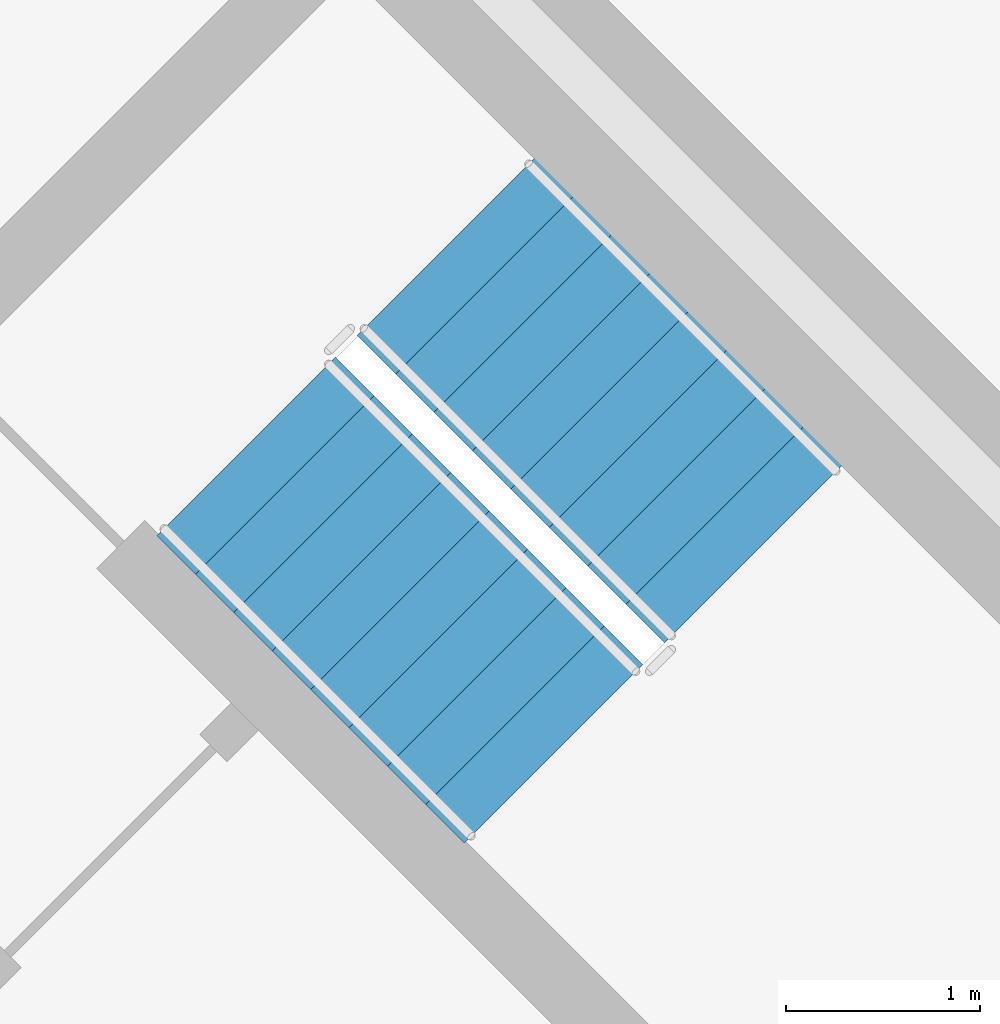
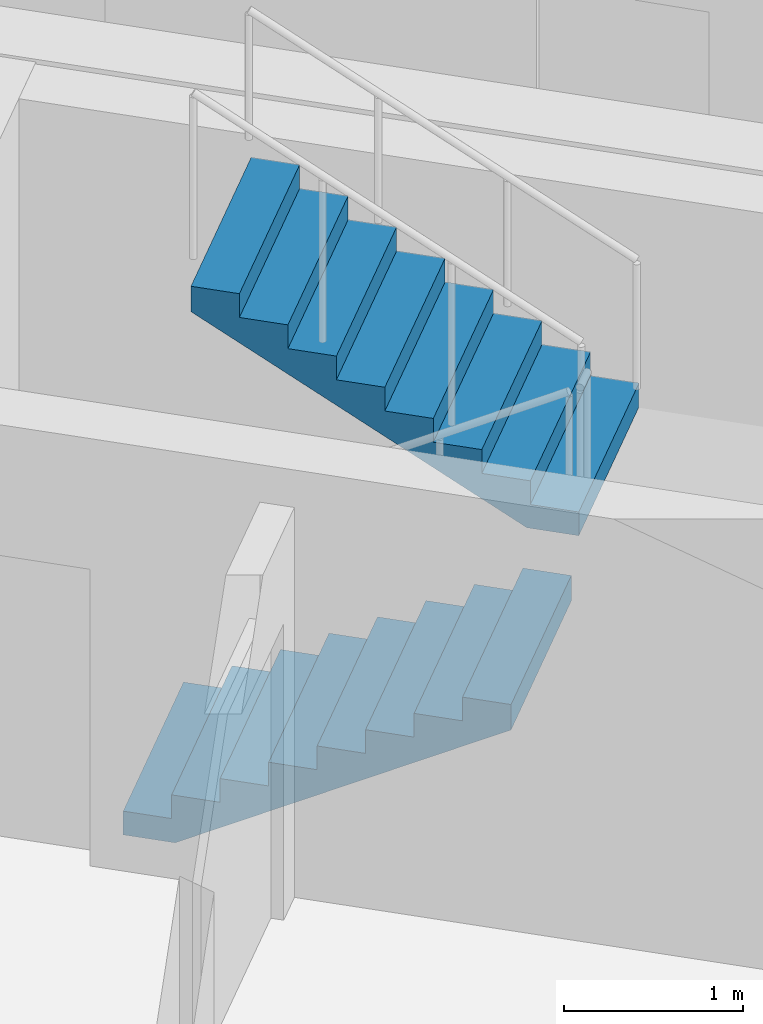
# One storey, part 16 of 19: 2 stair flights, 1 element without a shape of its own.
"""IFC4 building model written with IfcOpenShell, lengths in metres."""

from ifc_helpers import new_model, si_unit, direction, frame, origin, place, context, subcontext, project, spatial, polyline, outline, extrude, material, type_object, element, aggregate, save


model = new_model("IFC4")

# Units and contexts
model_context = context("Model", 3, precision=1e-05, world=origin(), true_north=direction((0.0, 1.0)))
body_context = subcontext(model_context, "Body", "Model", "MODEL_VIEW")
ifc_project = project(units=[si_unit("LENGTHUNIT", "METRE"), si_unit("AREAUNIT", "SQUARE_METRE"), si_unit("VOLUMEUNIT", "CUBIC_METRE"), si_unit("PLANEANGLEUNIT", "RADIAN"), si_unit("MASSUNIT", "GRAM", prefix="KILO")], contexts=[model_context])

# Site, building, storey
site_placement = place(None, origin())
site = spatial("IfcSite", under=ifc_project, at=site_placement, CompositionType="ELEMENT")
building_placement = place(site_placement, origin())
building = spatial("IfcBuilding", under=site, at=building_placement, Name="Cununo Teusaquillo Station Towers", CompositionType="ELEMENT")
storey_placement = place(building_placement, frame((0.0, 0.0, 84.699951171875)))
storey = spatial("IfcBuildingStorey", under=building, at=storey_placement, Name="L26", CompositionType="ELEMENT", Elevation=84.699951171875)

# Stair, stair flights
ifc_material_1 = material(Name="Concrete C50/60", Category="concrete")
stair_type = type_object("IfcStairType", Name="ST-TWR-1300", PredefinedType="HALF_TURN_STAIR", material=ifc_material_1)
stair_placement = place(storey_placement, origin())
stair = element("IfcStair", 1, at=stair_placement, inside=storey, type_object=stair_type, Name="L26 Tower B Protected Core Exit Stair 2", PredefinedType="HALF_TURN_STAIR")
ifc_material_2 = material(Name="Concrete C50/60", Category="concrete")
stair_flight_type = type_object("IfcStairFlightType", Name="SFL-TWR-1300", PredefinedType="STRAIGHT", material=ifc_material_2)
stair_flight_1_placement = place(storey_placement, frame((60.54052734375, 25.1787109375, 0.0), z_axis=(0.0, 0.0, 1.0), x_axis=(0.707106781187, -0.707106781187, 0.0)))
stair_flight_1 = element("IfcStairFlight", 2, at=stair_flight_1_placement, type_object=stair_flight_type, Name="ST-T2-2 flight 1", NumberOfRisers=9, NumberOfTreads=8, PredefinedType="STRAIGHT", RiserHeight=0.161666667, TreadLength=0.28, context=body_context, shape_type="SweptSolid", body=[
    extrude(outline(polyline([(0.0, 0.0), (0.0, 0.16162109375), (0.280029296875, 0.16162109375), (0.280029296875, 0.3232421875), (0.56005859375, 0.3232421875), (0.56005859375, 0.485107421875), (0.840087890625, 0.485107421875), (0.840087890625, 0.646728515625), (1.1201171875, 0.646728515625), (1.1201171875, 0.808349609375), (1.39990234375, 0.808349609375), (1.39990234375, 0.969970703125), (1.679931640625, 0.969970703125), (1.679931640625, 1.131591796875), (1.9599609375, 1.131591796875), (1.9599609375, 1.293212890625), (2.239990234375, 1.293212890625), (2.239990234375, 1.455078125), (2.239990234375, 1.1201171875), (0.2998046875, 0.0), (0.0, 0.0)])), frame((0.0, 0.64990234375, 0.0), z_axis=(0.0, -1.0, 0.0), x_axis=(1.0, 0.0, 0.0)), (0.0, 0.0, 1.0), 1.300048828125),
])
stair_flight_2_placement = place(storey_placement, frame((63.15673828125, 24.627197265625, 1.455078125), z_axis=(0.0, 0.0, 1.0), x_axis=(-0.707106781187, 0.707106781187, 0.0)))
stair_flight_2 = element("IfcStairFlight", 3, at=stair_flight_2_placement, type_object=stair_flight_type, Name="ST-T2-2 flight 2", NumberOfRisers=9, NumberOfTreads=8, PredefinedType="STRAIGHT", RiserHeight=0.161666667, TreadLength=0.28, context=body_context, shape_type="SweptSolid", body=[
    extrude(outline(polyline([(0.0, 0.0), (0.0, 0.16162109375), (0.280029296875, 0.16162109375), (0.280029296875, 0.3232421875), (0.56005859375, 0.3232421875), (0.56005859375, 0.485107421875), (0.840087890625, 0.485107421875), (0.840087890625, 0.646728515625), (1.1201171875, 0.646728515625), (1.1201171875, 0.808349609375), (1.39990234375, 0.808349609375), (1.39990234375, 0.969970703125), (1.679931640625, 0.969970703125), (1.679931640625, 1.131591796875), (1.9599609375, 1.131591796875), (1.9599609375, 1.293212890625), (2.239990234375, 1.293212890625), (2.239990234375, 1.455078125), (2.239990234375, 1.1201171875), (0.2998046875, 0.0), (0.0, 0.0)])), frame((0.0, 0.64990234375, 0.0), z_axis=(0.0, -1.0, 0.0), x_axis=(1.0, 0.0, 0.0)), (0.0, 0.0, 1.0), 1.300048828125),
])
aggregate(stair, [stair_flight_1, stair_flight_2])

save(model, "model.ifc")
